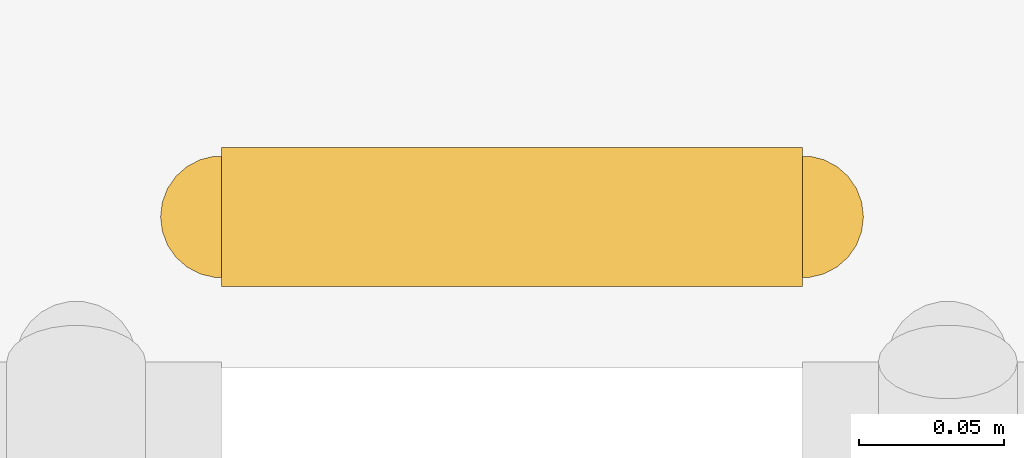
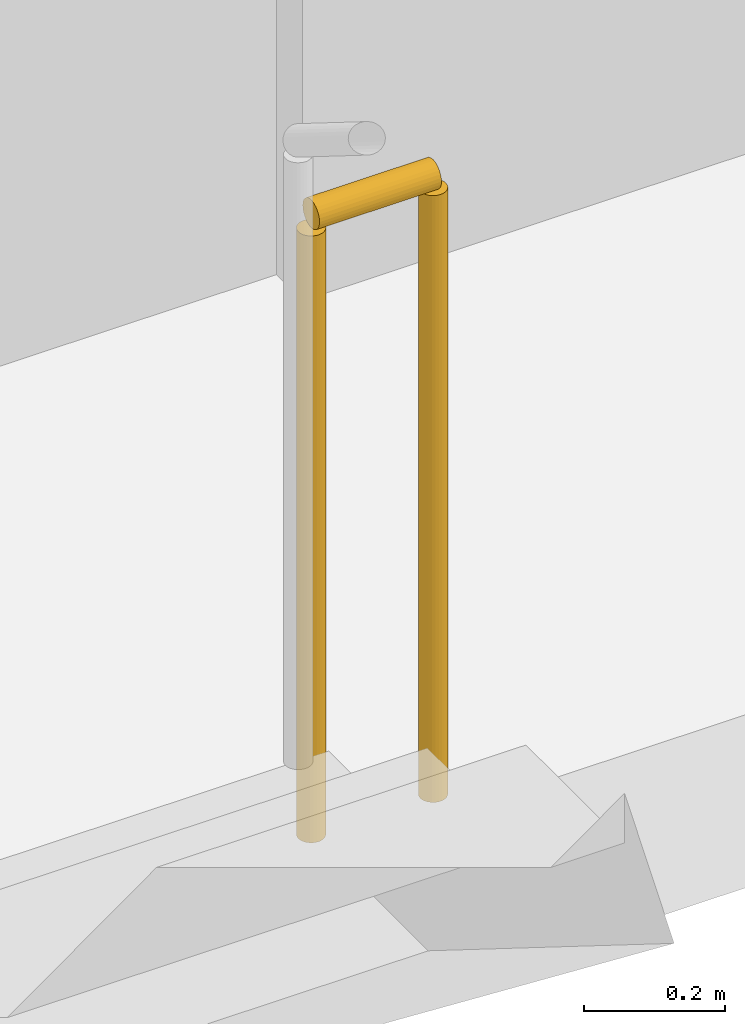
# One storey, part 22 of 22: 1 railing.
"""IFC4 building model written with IfcOpenShell, lengths in metres."""

from ifc_helpers import new_model, si_unit, direction, frame, origin, origin_2d, place, context, subcontext, project, spatial, circle, extrude, material, type_object, element, save


model = new_model("IFC4")

# Units and contexts
model_context = context("Model", 3, precision=1e-05, world=origin(), true_north=direction((0.0, 1.0)))
body_context = subcontext(model_context, "Body", "Model", "MODEL_VIEW")
ifc_project = project(units=[si_unit("LENGTHUNIT", "METRE"), si_unit("AREAUNIT", "SQUARE_METRE"), si_unit("VOLUMEUNIT", "CUBIC_METRE"), si_unit("PLANEANGLEUNIT", "RADIAN"), si_unit("MASSUNIT", "GRAM", prefix="KILO")], contexts=[model_context])

# Site, building, storey
site_placement = place(None, origin())
site = spatial("IfcSite", under=ifc_project, at=site_placement, CompositionType="ELEMENT")
building_placement = place(site_placement, origin())
building = spatial("IfcBuilding", under=site, at=building_placement, Name="Kiln Ring Residences", CompositionType="ELEMENT")
storey_placement = place(building_placement, frame((0.0, 0.0, 143.10009765625)))
storey = spatial("IfcBuildingStorey", under=building, at=storey_placement, Name="L36", CompositionType="ELEMENT", Elevation=143.10009765625)

# Railing
ifc_material = material(Name="Stainless steel", Category="steel")
railing_type = type_object("IfcRailingType", Name="CORE-STAIR-GUARD", PredefinedType="GUARDRAIL", material=ifc_material)
railing_placement = place(storey_placement, frame((22.0, 8.449951171875, 0.0)))
element("IfcRailing", 1, at=railing_placement, inside=storey, type_object=railing_type, Name="L36 E-STN stair guard 4", PredefinedType="GUARDRAIL", context=body_context, shape_type="SweptSolid", body=[
    extrude(circle(Radius=0.02392578125, at=origin_2d()), frame((0.0, 0.0, 1.076171875), z_axis=(1.0, 0.0, 0.0), x_axis=(0.0, 1.0, 0.0)), (0.0, 0.0, 1.0), 0.199951171875),
    extrude(circle(Radius=0.02099609375, at=origin_2d()), origin(), (0.0, 0.0, 1.0), 1.052001953125),
    extrude(circle(Radius=0.02099609375, at=origin_2d()), frame((0.199951171875, 0.0, 0.0)), (0.0, 0.0, 1.0), 1.052001953125),
])

save(model, "model.ifc")
